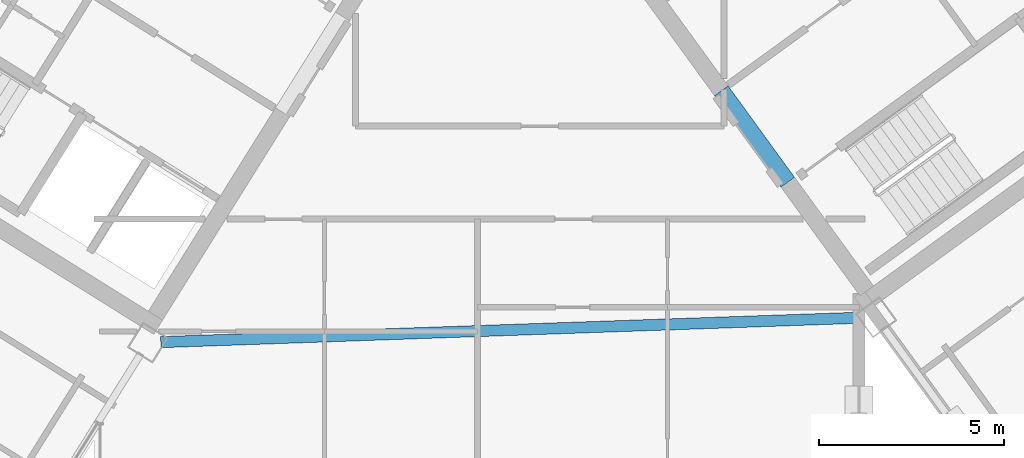
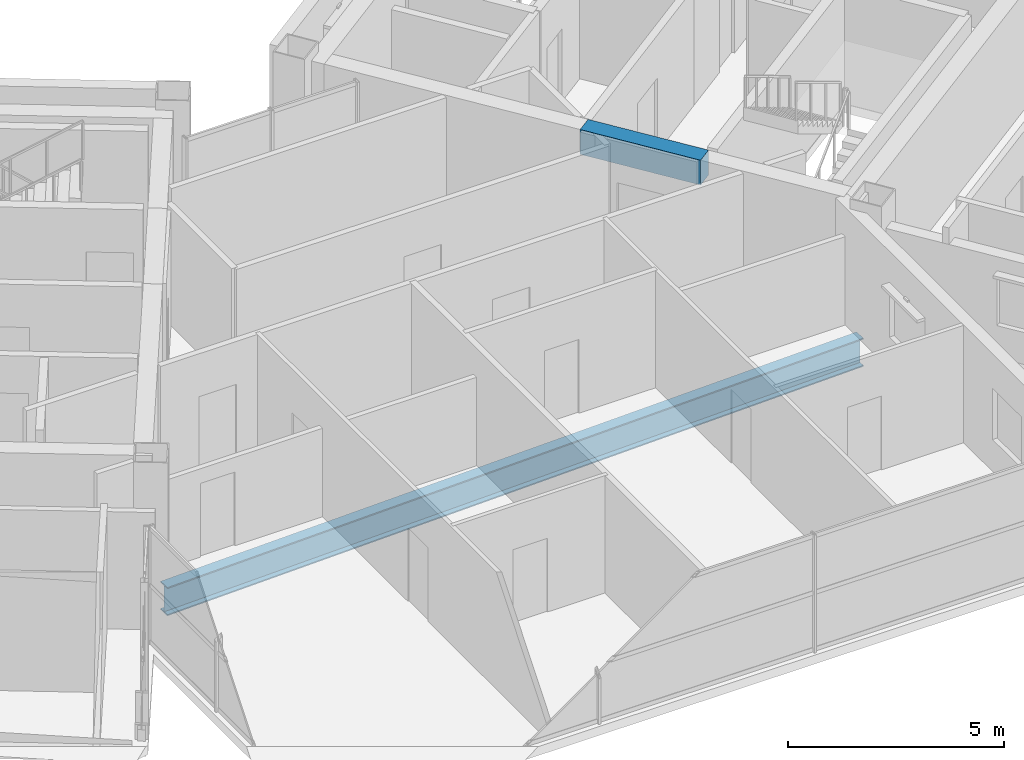
# One storey, part 9 of 27: 2 beams.
"""IFC4 building model written with IfcOpenShell, lengths in metres."""

from ifc_helpers import new_model, si_unit, direction, frame, origin, origin_2d, place, context, subcontext, project, spatial, rectangle, i_section, extrude, source, transform, mapped, material, material_profile, profile_set, type_object, element, save


model = new_model("IFC4")

# Units and contexts
model_context = context("Model", 3, precision=1e-05, world=origin(), true_north=direction((0.0, 1.0)))
body_context = subcontext(model_context, "Body", "Model", "MODEL_VIEW")
ifc_project = project(units=[si_unit("LENGTHUNIT", "METRE"), si_unit("AREAUNIT", "SQUARE_METRE"), si_unit("VOLUMEUNIT", "CUBIC_METRE"), si_unit("PLANEANGLEUNIT", "RADIAN"), si_unit("MASSUNIT", "GRAM", prefix="KILO")], contexts=[model_context])

# Site, building, storey
site_placement = place(None, origin())
site = spatial("IfcSite", under=ifc_project, at=site_placement, CompositionType="ELEMENT")
building_placement = place(site_placement, origin())
building = spatial("IfcBuilding", under=site, at=building_placement, Name="Tlacorven Tower", CompositionType="ELEMENT")
storey_placement = place(building_placement, frame((0.0, 0.0, 242.10009765625)))
storey = spatial("IfcBuildingStorey", under=building, at=storey_placement, Name="L61", CompositionType="ELEMENT", Elevation=242.10009765625)

# Beams
ifc_material_1 = material(Name="Concrete C60/75", Category="concrete")
ifc_material_profile_1 = material_profile(ifc_material_1, rectangle(XDim=0.449951171875, YDim=0.699951171875, at=origin_2d()), Name="RC 450X700")
ifc_profile_set_1 = profile_set([ifc_material_profile_1], Name="Concrete C60/75")
beam_type_1 = type_object("IfcBeamType", Name="BM-LNT-700", PredefinedType="LINTEL", material=ifc_profile_set_1)
shared_shape_1 = source(origin(), body_context, "Body", "SweptSolid", [
    extrude(rectangle(XDim=0.449951171875, YDim=0.699951171875, at=origin_2d()), origin(), (0.0, 0.0, 1.0), 3.050048828125),
])
beam_1_placement = place(storey_placement, frame((50.318359375, 16.416015625, 2.969970703125), z_axis=(-0.587776590479, 0.80902328748, 0.0), x_axis=(-0.80902328748, -0.587776590479, 0.0)))
element("IfcBeam", 1, at=beam_1_placement, inside=storey, type_object=beam_type_1, Name="L61 E core coupling lintel beam E1", PredefinedType="LINTEL", context=body_context, shape_type="MappedRepresentation", body=[
    mapped(shared_shape_1, transform((0.0, 0.0, 0.0), scale=1.0)),
])
ifc_material_2 = material(Name="Steel S355J2", Category="steel")
ifc_material_profile_2 = material_profile(ifc_material_2, i_section(OverallWidth=0.300048828125, OverallDepth=0.800048828125, WebThickness=0.017578125, FlangeThickness=0.032958984375, at=origin_2d()), Name="HEB 800")
ifc_profile_set_2 = profile_set([ifc_material_profile_2], Name="Steel S355J2")
beam_type_2 = type_object("IfcBeamType", Name="BM-POD-800", PredefinedType="BEAM", material=ifc_profile_set_2)
shared_shape_2 = source(origin(), body_context, "Body", "SweptSolid", [
    extrude(i_section(OverallWidth=0.300048828125, OverallDepth=0.800048828125, WebThickness=0.017578125, FlangeThickness=0.032958984375, at=origin_2d()), origin(), (0.0, 0.0, 1.0), 18.97119140625),
])
beam_2_placement = place(storey_placement, frame((33.39599609375, 12.09912109375, -0.650146484375), z_axis=(0.999390787537, 0.034900627304, 0.0), x_axis=(-0.034900627304, 0.999390787537, 0.0)))
element("IfcBeam", 2, at=beam_2_placement, inside=storey, type_object=beam_type_2, Name="L61 Knuckle Link Girder 2", PredefinedType="BEAM", context=body_context, shape_type="MappedRepresentation", body=[
    mapped(shared_shape_2, transform((0.0, 0.0, 0.0), scale=1.0)),
])

save(model, "model.ifc")
